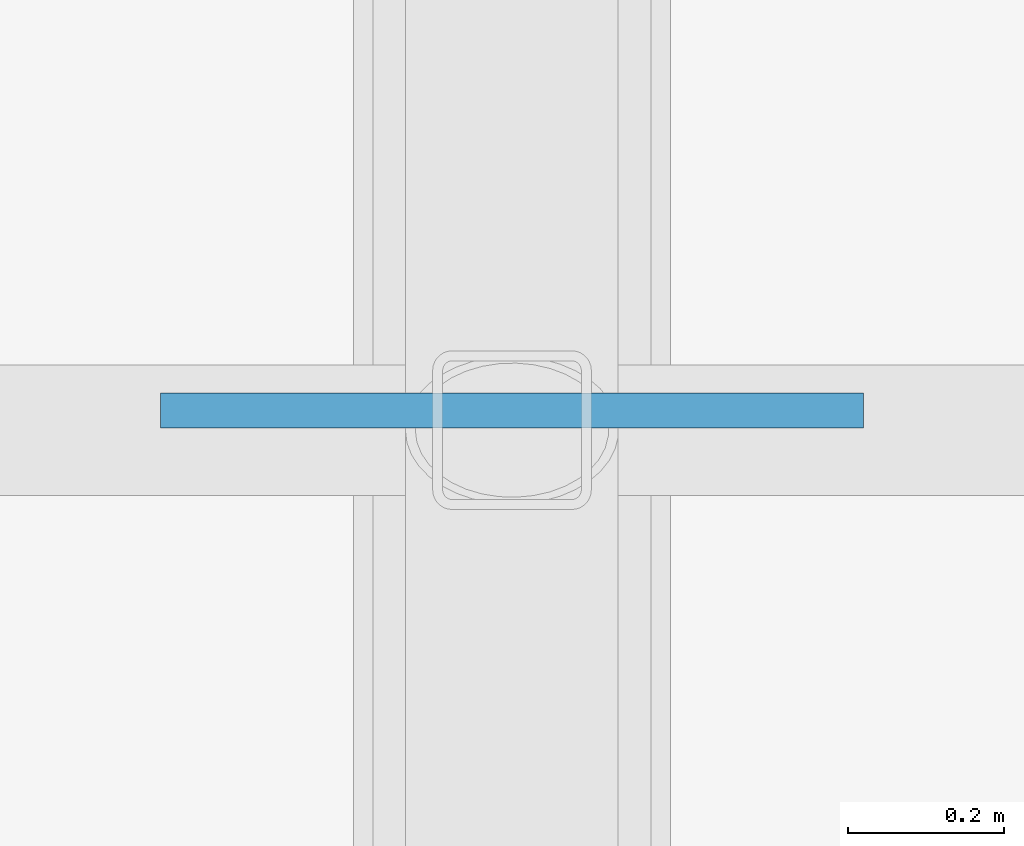
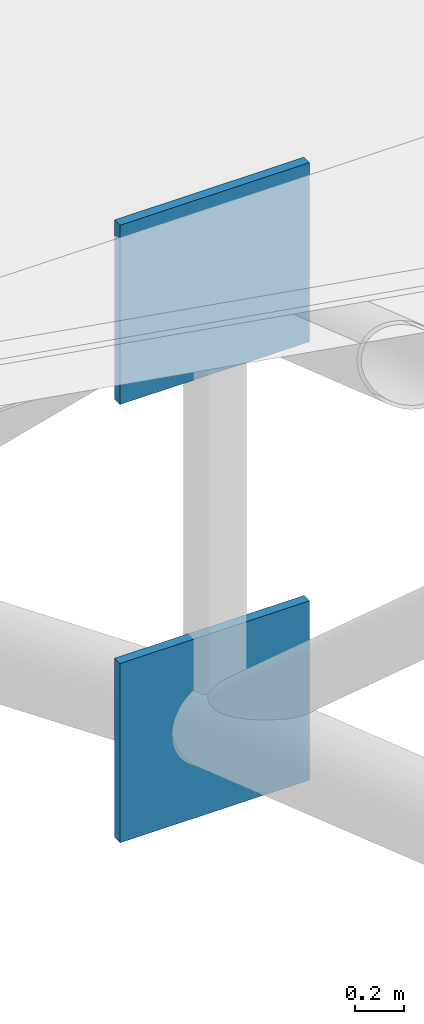
# One storey, part 89 of 98: 2 plates.
"""IFC4 building model written with IfcOpenShell, lengths in metres."""

from ifc_helpers import new_model, si_unit, direction, frame, origin, origin_2d, place, context, subcontext, project, spatial, rectangle, extrude, material, layer, layer_set, type_object, element, save


model = new_model("IFC4")

# Units and contexts
model_context = context("Model", 3, precision=1e-05, world=origin(), true_north=direction((0.0, 1.0)))
body_context = subcontext(model_context, "Body", "Model", "MODEL_VIEW")
ifc_project = project(units=[si_unit("LENGTHUNIT", "METRE"), si_unit("AREAUNIT", "SQUARE_METRE"), si_unit("VOLUMEUNIT", "CUBIC_METRE"), si_unit("PLANEANGLEUNIT", "RADIAN"), si_unit("MASSUNIT", "GRAM", prefix="KILO")], contexts=[model_context])

# Site, building, storey
site_placement = place(None, origin())
site = spatial("IfcSite", under=ifc_project, at=site_placement, CompositionType="ELEMENT")
building_placement = place(site_placement, origin())
building = spatial("IfcBuilding", under=site, at=building_placement, Name="Tlacozan Convention Centre", CompositionType="ELEMENT")
storey_placement = place(building_placement, frame((0.0, 0.0, 25.800048828125)))
storey = spatial("IfcBuildingStorey", under=building, at=storey_placement, Name="Roof", CompositionType="ELEMENT", Elevation=25.800048828125)

# Plates
ifc_material = material(Name="Steel ASTM A572 Grade 50", Category="steel")
ifc_layer = layer(ifc_material, 0.044921875)
ifc_layer_set = layer_set([ifc_layer], Name="Steel ASTM A572 Grade 50")
plate_type = type_object("IfcPlateType", Name="Arch Springing Node Gusset Plate", PredefinedType="SHEET", material=ifc_layer_set)
for number, where, z_axis, x_axis, name in (
    (1, (80.0, 118.025146484375, -7.434814453125), (0.0, 0.0, 1.0), (0.0, 1.0, 0.0), "Roof Gusset Cap Plate 369"),
    (2, (80.0, 118.025146484375, -9.634765625), (0.0, 0.0, 1.0), (0.0, 1.0, 0.0), "Roof Gusset Cap Plate 370"),
):
    element("IfcPlate", number, at=place(storey_placement, frame(where, z_axis=z_axis, x_axis=x_axis)), inside=storey, type_object=plate_type, Name=name, PredefinedType="SHEET", context=body_context, shape_type="SweptSolid", body=[
        extrude(rectangle(XDim=0.044921875, YDim=0.89990234375, at=origin_2d()), origin(), (0.0, 0.0, 1.0), 0.89990234375),
    ])

save(model, "model.ifc")
